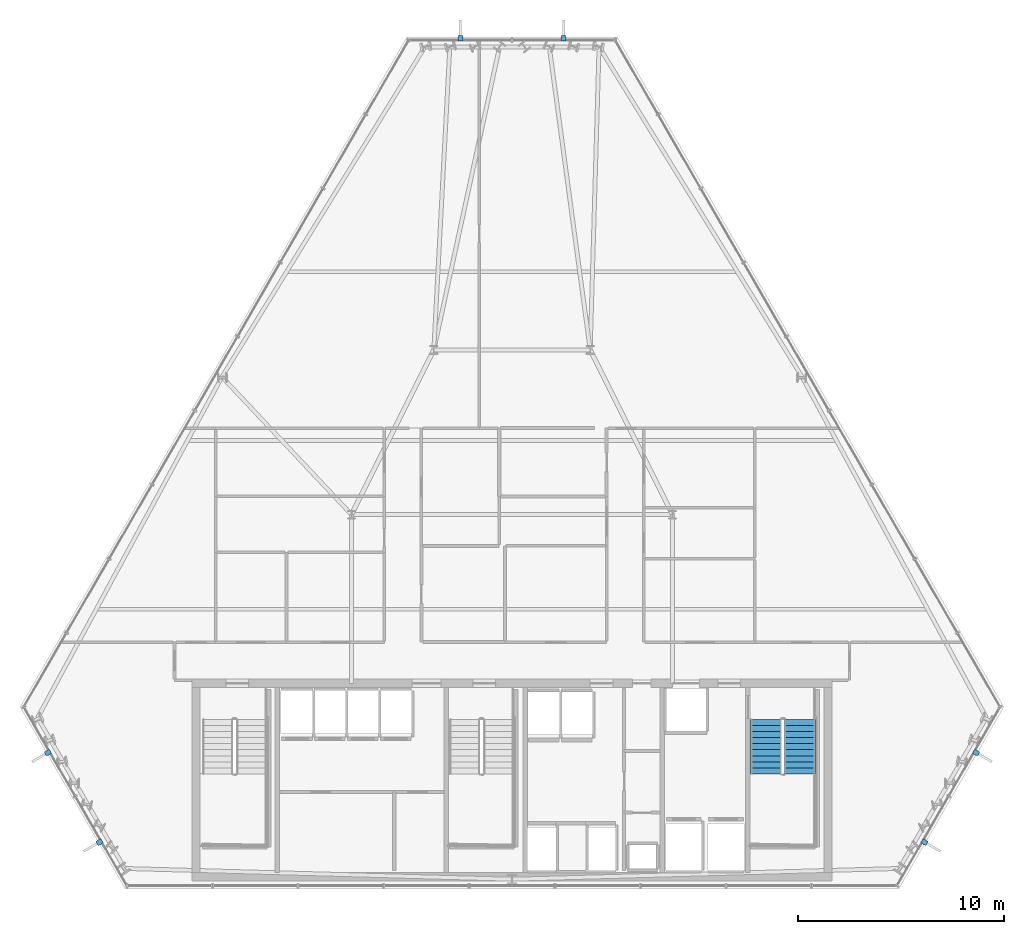
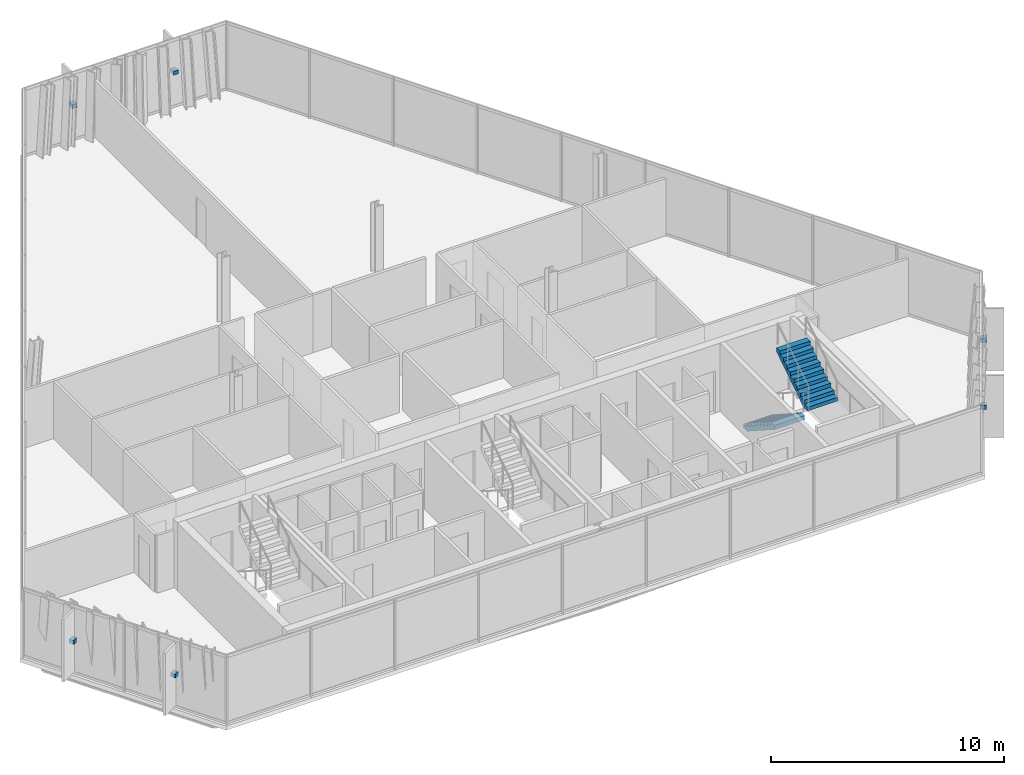
# One storey, part 31 of 35: 6 discrete accessories, 2 stair flights, 1 element without a shape of its own.
"""IFC4 building model written with IfcOpenShell, lengths in metres."""

from ifc_helpers import new_model, si_unit, direction, frame, origin, origin_2d, place, context, subcontext, project, spatial, polyline, rectangle, outline, extrude, material, type_object, element, aggregate, save


model = new_model("IFC4")

# Units and contexts
model_context = context("Model", 3, precision=1e-05, world=origin(), true_north=direction((0.0, 1.0)))
body_context = subcontext(model_context, "Body", "Model", "MODEL_VIEW")
ifc_project = project(units=[si_unit("LENGTHUNIT", "METRE"), si_unit("AREAUNIT", "SQUARE_METRE"), si_unit("VOLUMEUNIT", "CUBIC_METRE"), si_unit("PLANEANGLEUNIT", "RADIAN"), si_unit("MASSUNIT", "GRAM", prefix="KILO")], contexts=[model_context])

# Site, building, storey
site_placement = place(None, origin())
site = spatial("IfcSite", under=ifc_project, at=site_placement, CompositionType="ELEMENT")
building_placement = place(site_placement, origin())
building = spatial("IfcBuilding", under=site, at=building_placement, Name="Ndaravel Arena Tower", CompositionType="ELEMENT")
storey_placement = place(building_placement, frame((0.0, 0.0, 180.199951171875)))
storey = spatial("IfcBuildingStorey", under=building, at=storey_placement, Name="L43", CompositionType="ELEMENT", Elevation=180.199951171875)

# Stair, stair flights
ifc_material_1 = material(Name="Concrete C40/50", Category="concrete")
stair_type = type_object("IfcStairType", Name="STAIR-CORE-HT", PredefinedType="HALF_TURN_STAIR", material=ifc_material_1)
stair_placement = place(storey_placement, origin())
stair = element("IfcStair", 1, at=stair_placement, inside=storey, type_object=stair_type, Name="L43 ST-3", PredefinedType="HALF_TURN_STAIR")
ifc_material_2 = material(Name="Concrete C40/50", Category="concrete")
stair_flight_type = type_object("IfcStairFlightType", Name="SFLIGHT-CORE-1680", PredefinedType="STRAIGHT", material=ifc_material_2)
stair_flight_1_placement = place(storey_placement, frame((54.35009765625, 13.25, 0.0), z_axis=(0.0, 0.0, 1.0), x_axis=(0.0, -1.0, 0.0)))
stair_flight_1 = element("IfcStairFlight", 2, at=stair_flight_1_placement, type_object=stair_flight_type, Name="ST-3 flight 1", NumberOfRisers=10, NumberOfTreads=9, PredefinedType="STRAIGHT", RiserHeight=0.19, TreadLength=0.295, context=body_context, shape_type="SweptSolid", body=[
    extrude(outline(polyline([(0.0, 0.0), (0.0, 0.18994140625), (0.294921875, 0.18994140625), (0.294921875, 0.3798828125), (0.590087890625, 0.3798828125), (0.590087890625, 0.570068359375), (0.885009765625, 0.570068359375), (0.885009765625, 0.760009765625), (1.179931640625, 0.760009765625), (1.179931640625, 0.949951171875), (1.47509765625, 0.949951171875), (1.47509765625, 1.139892578125), (1.77001953125, 1.139892578125), (1.77001953125, 1.330078125), (2.06494140625, 1.330078125), (2.06494140625, 1.52001953125), (2.360107421875, 1.52001953125), (2.360107421875, 1.7099609375), (2.655029296875, 1.7099609375), (2.655029296875, 1.89990234375), (2.655029296875, 1.49609375), (0.332275390625, 0.0), (0.0, 0.0)])), frame((0.0, 0.75, 0.0), z_axis=(0.0, -1.0, 0.0), x_axis=(1.0, 0.0, 0.0)), (0.0, 0.0, 1.0), 1.5),
])
stair_flight_2_placement = place(storey_placement, frame((55.989990234375, 10.594970703125, 1.900146484375), z_axis=(0.0, 0.0, 1.0), x_axis=(0.0, 1.0, 0.0)))
stair_flight_2 = element("IfcStairFlight", 3, at=stair_flight_2_placement, type_object=stair_flight_type, Name="ST-3 flight 2", NumberOfRisers=10, NumberOfTreads=9, PredefinedType="STRAIGHT", RiserHeight=0.19, TreadLength=0.295, context=body_context, shape_type="SweptSolid", body=[
    extrude(outline(polyline([(0.0, 0.0), (0.0, 0.18994140625), (0.294921875, 0.18994140625), (0.294921875, 0.3798828125), (0.590087890625, 0.3798828125), (0.590087890625, 0.570068359375), (0.885009765625, 0.570068359375), (0.885009765625, 0.760009765625), (1.179931640625, 0.760009765625), (1.179931640625, 0.949951171875), (1.47509765625, 0.949951171875), (1.47509765625, 1.139892578125), (1.77001953125, 1.139892578125), (1.77001953125, 1.330078125), (2.06494140625, 1.330078125), (2.06494140625, 1.52001953125), (2.360107421875, 1.52001953125), (2.360107421875, 1.7099609375), (2.655029296875, 1.7099609375), (2.655029296875, 1.89990234375), (2.655029296875, 1.49609375), (0.332275390625, 0.0), (0.0, 0.0)])), frame((0.0, 0.75, 0.0), z_axis=(0.0, -1.0, 0.0), x_axis=(1.0, 0.0, 0.0)), (0.0, 0.0, 1.0), 1.5),
])
aggregate(stair, [stair_flight_1, stair_flight_2])

# Discrete accessories
ifc_material_3 = material(Name="Steel S355", Category="steel")
discrete_accessory_type = type_object("IfcDiscreteAccessoryType", Name="ACC-BRACKET-FIN", PredefinedType="BRACKET", material=ifc_material_3)
for number, where, z_axis, x_axis, name in (
    (4, (62.044677734375, 7.283203125, 1.68994140625), (0.0, 0.0, 1.0), (0.866025403784, -0.5, 0.0), "L43 Mazeras Stone Solar Fin E2.1 Bracket"),
    (5, (64.55419921875, 11.629638671875, 1.68994140625), (0.0, 0.0, 1.0), (0.866025403784, -0.5, 0.0), "L43 Mazeras Stone Solar Fin E2.2 Bracket"),
    (6, (44.509521484375, 46.34814453125, 1.68994140625), (0.0, 0.0, 1.0), (0.0, 1.0, 0.0), "L43 Mazeras Stone Solar Fin E4.1 Bracket"),
    (7, (39.490478515625, 46.34814453125, 1.68994140625), (0.0, 0.0, 1.0), (0.0, 1.0, 0.0), "L43 Mazeras Stone Solar Fin E4.2 Bracket"),
    (8, (19.44580078125, 11.629638671875, 1.68994140625), (0.0, 0.0, 1.0), (-0.866025403784, -0.5, 0.0), "L43 Mazeras Stone Solar Fin E6.1 Bracket"),
    (9, (21.955322265625, 7.283203125, 1.68994140625), (0.0, 0.0, 1.0), (-0.866025403784, -0.5, 0.0), "L43 Mazeras Stone Solar Fin E6.2 Bracket"),
):
    element("IfcDiscreteAccessory", number, at=place(storey_placement, frame(where, z_axis=z_axis, x_axis=x_axis)), inside=storey, type_object=discrete_accessory_type, Name=name, PredefinedType="BRACKET", context=body_context, shape_type="SweptSolid", body=[
        extrude(rectangle(XDim=0.280029296875, YDim=0.239990234375, at=origin_2d()), origin(), (0.0, 0.0, 1.0), 0.199951171875),
    ])

save(model, "model.ifc")
